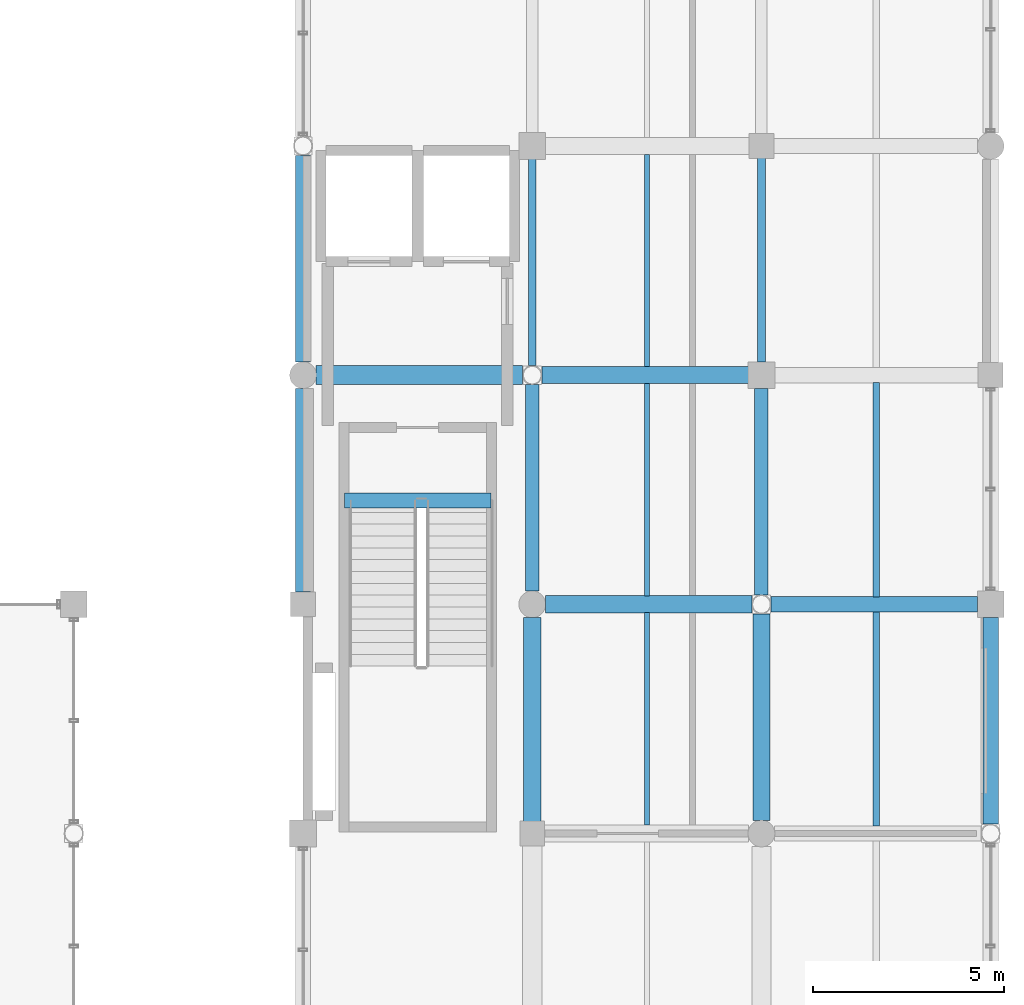
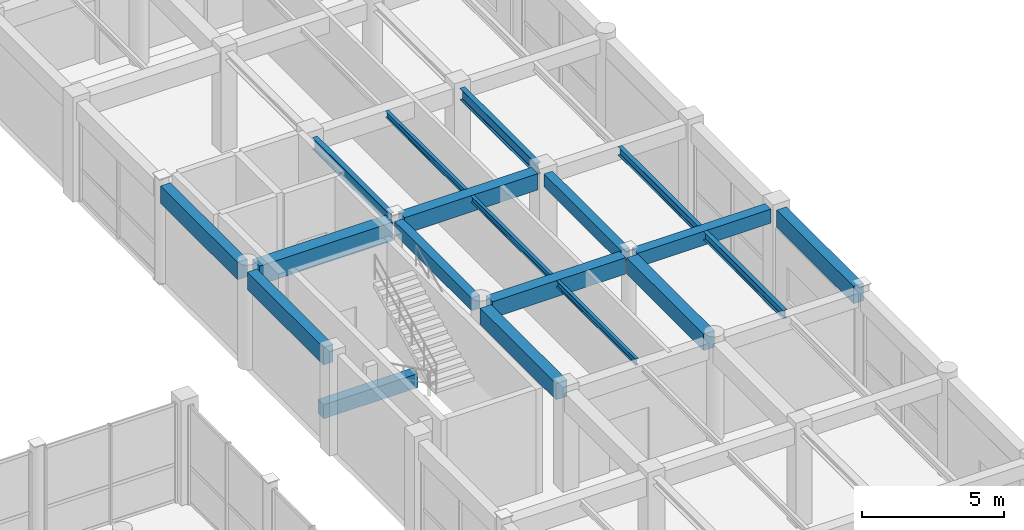
# One storey, part 65 of 116: 19 beams.
"""IFC4 building model written with IfcOpenShell, lengths in metres."""

import ifcopenshell
import ifcopenshell.guid

model = None  # the IFC model being written
_history = None  # IfcOwnerHistory: only IFC2X3 demands one
_inside = {}  # id of a spatial element -> (the spatial element, [elements in it])
_under = {}  # id of a project, library or spatial element -> (it, [spatial elements below it])
_declared = {}  # id of a project -> (the project, [libraries it declares])
_typed = {}  # id of a type object -> (the type object, [elements of that type])
_made_of = {}  # id of a material, layer set ... -> (it, [elements and type objects made of it])


def new_model(schema):
    """Start an empty IFC model of exactly this schema.

    Asked for "IFC4X3", IfcOpenShell would pick the latest addendum, in which some entities
    have other attributes; the version numbers below select the first issue.
    IFC2X3 requires an IfcOwnerHistory on every rooted entity: one is made here for all.
    """
    global model, _history
    if schema == "IFC4X3":
        model = ifcopenshell.file(schema_version=(4, 3, 0, 0))
    else:
        model = ifcopenshell.file(schema=schema)
    _inside.clear()
    _under.clear()
    _declared.clear()
    _typed.clear()
    _made_of.clear()
    _history = None
    if model.schema == "IFC2X3":
        org = make("IfcOrganization", Name="unknown")
        user = make(
            "IfcPersonAndOrganization",
            ThePerson=make("IfcPerson", FamilyName="unknown"),
            TheOrganization=org,
        )
        app = make(
            "IfcApplication",
            ApplicationDeveloper=org,
            Version="unknown",
            ApplicationFullName="unknown",
            ApplicationIdentifier="unknown",
        )
        _history = make(
            "IfcOwnerHistory",
            OwningUser=user,
            OwningApplication=app,
            ChangeAction="ADDED",
            CreationDate=0,
        )
    return model


def make(cls, **values):
    """One entity of the class cls with the attributes given. An attribute that is None is left unset."""
    return model.create_entity(
        cls, **{name: value for name, value in values.items() if value is not None}
    )


def rooted(cls, **values):
    """An entity with a GlobalId (a new one), such as an element, a storey or a relation."""
    return make(cls, GlobalId=ifcopenshell.guid.new(), OwnerHistory=_history, **values)


def si_unit(unit_type, name, prefix=None):
    """IfcSIUnit, for example si_unit("LENGTHUNIT", "METRE", prefix="MILLI")."""
    return make("IfcSIUnit", UnitType=unit_type, Prefix=prefix, Name=name)


def assignment(units):
    """IfcUnitAssignment: the units of a project."""
    return None if units is None else make("IfcUnitAssignment", Units=units)


def point(xyz):
    """IfcCartesianPoint."""
    return None if xyz is None else make("IfcCartesianPoint", Coordinates=xyz)


def direction(xyz):
    """IfcDirection."""
    return None if xyz is None else make("IfcDirection", DirectionRatios=xyz)


def frame(location, z_axis=None, x_axis=None):
    """IfcAxis2Placement3D, a coordinate frame: its origin and axes. An axis left out is left unset."""
    return make(
        "IfcAxis2Placement3D",
        Location=point(location),
        Axis=direction(z_axis),
        RefDirection=direction(x_axis),
    )


def frame_2d(location, x_axis=None):
    """IfcAxis2Placement2D, a coordinate frame in the plane: its origin and x axis."""
    return make(
        "IfcAxis2Placement2D", Location=point(location), RefDirection=direction(x_axis)
    )


def origin():
    """The frame at (0, 0, 0) with its axes left unset."""
    return frame((0.0, 0.0, 0.0))


def origin_2d():
    """The frame at (0, 0) in the plane with its x axis left unset."""
    return frame_2d((0.0, 0.0))


def place(relative_to, where):
    """IfcLocalPlacement: puts the frame where relative to a parent placement (None: the world)."""
    return make(
        "IfcLocalPlacement", PlacementRelTo=relative_to, RelativePlacement=where
    )


def context(
    kind, dimensions, precision=None, world=None, true_north=None, identifier=None
):
    """IfcGeometricRepresentationContext, for example the 3D "Model" context."""
    return make(
        "IfcGeometricRepresentationContext",
        ContextIdentifier=identifier,
        ContextType=kind,
        CoordinateSpaceDimension=dimensions,
        Precision=precision,
        WorldCoordinateSystem=world,
        TrueNorth=true_north,
    )


def subcontext(parent, identifier, kind, view, scale=None):
    """IfcGeometricRepresentationSubContext, for example "Body" below "Model"."""
    return make(
        "IfcGeometricRepresentationSubContext",
        ContextIdentifier=identifier,
        ContextType=kind,
        ParentContext=parent,
        TargetScale=scale,
        TargetView=view,
    )


def project(units=None, contexts=None):
    """IfcProject with its units and contexts."""
    return rooted(
        "IfcProject",
        Name="project",
        RepresentationContexts=contexts,
        UnitsInContext=assignment(units),
    )


def spatial(cls, under=None, at=None, **own):
    """A site, building, storey or space (cls), placed at a placement, below another one or the project."""
    s = rooted(cls, ObjectPlacement=at, **own)
    if under is not None:
        _under.setdefault(under.id(), (under, []))[1].append(s)
    return s


def profile(cls, at=None, kind="AREA", **sizes):
    """A parametric profile (cls). Its sizes go by their IFC names, for example OverallWidth=200.0."""
    return make(cls, ProfileType=kind, Position=at, **sizes)


def rectangle(**sizes):
    """IfcRectangleProfileDef."""
    return profile("IfcRectangleProfileDef", **sizes)


def i_section(**sizes):
    """IfcIShapeProfileDef."""
    return profile("IfcIShapeProfileDef", **sizes)


def extrude(swept, where, along, depth):
    """IfcExtrudedAreaSolid: the profile swept, set in the frame where, extruded along a direction by depth."""
    return make(
        "IfcExtrudedAreaSolid",
        SweptArea=swept,
        Position=where,
        ExtrudedDirection=direction(along),
        Depth=depth,
    )


def shape(context_of_items, identifier, shape_type, items):
    """IfcShapeRepresentation: the items that make up one representation, for example the "Body"."""
    return make(
        "IfcShapeRepresentation",
        ContextOfItems=context_of_items,
        RepresentationIdentifier=identifier,
        RepresentationType=shape_type,
        Items=items,
    )


def material(Name=None, Category=None):
    """IfcMaterial."""
    return make("IfcMaterial", Name=Name, Category=Category)


def material_profile(
    of_material, cross_section, Name=None, Category=None, Priority=None
):
    """IfcMaterialProfile: a cross section and its material."""
    return make(
        "IfcMaterialProfile",
        Name=Name,
        Material=of_material,
        Profile=cross_section,
        Priority=Priority,
        Category=Category,
    )


def profile_set(profiles, Name=None, composite=None):
    """IfcMaterialProfileSet."""
    return make(
        "IfcMaterialProfileSet",
        Name=Name,
        MaterialProfiles=profiles,
        CompositeProfile=composite,
    )


def made_of(thing, what):
    """Note that an element or type object is made of a material, layer set ...; save() writes the relation."""
    if what is not None:
        _made_of.setdefault(what.id(), (what, []))[1].append(thing)
    return thing


def type_object(cls, material=None, **own):
    """A type object (cls), such as IfcWallType, which elements share."""
    return made_of(rooted(cls, **own), material)


def element(
    cls,
    number,
    at=None,
    inside=None,
    cuts=None,
    type_object=None,
    material=None,
    context=None,
    identifier="Body",
    shape_type=None,
    held_by="IfcProductDefinitionShape",
    body=None,
    shapes=None,
    **own,
):
    """One element of the class cls, such as IfcWall. Its Tag is "e" and its number.

    at: its placement. inside: the storey or other place that contains it. cuts: it is an
    opening in that element (IfcRelVoidsElement). A single representation is given by context,
    identifier, shape_type and body (its items); several are given by shapes. held_by: the class
    of the entity that holds the representations. save() writes the other relations.
    """
    e = rooted(cls, Tag="e%d" % number, ObjectPlacement=at, **own)
    if body is not None:
        shapes = [shape(context, identifier, shape_type, body)]
    if shapes is not None:
        e.Representation = make(held_by, Representations=shapes)
    if inside is not None:
        _inside.setdefault(inside.id(), (inside, []))[1].append(e)
    if cuts is not None:
        rooted(
            "IfcRelVoidsElement", RelatingBuildingElement=cuts, RelatedOpeningElement=e
        )
    if type_object is not None:
        _typed.setdefault(type_object.id(), (type_object, []))[1].append(e)
    return made_of(e, material)


def aggregate(whole, parts):
    """IfcRelAggregates: a whole, such as a stair, and the parts it consists of."""
    return rooted("IfcRelAggregates", RelatingObject=whole, RelatedObjects=parts)


def save(model, path):
    """Write the relations noted so far, then the file.

    IfcRelAggregates (storeys below a building ...), IfcRelContainedInSpatialStructure (elements
    in a storey), IfcRelDefinesByType, IfcRelAssociatesMaterial and IfcRelDeclares: one each for
    every whole, place, type object, material and project.
    """
    for whole, parts in _under.values():
        aggregate(whole, parts)
    for where, things in _inside.values():
        rooted(
            "IfcRelContainedInSpatialStructure",
            RelatedElements=things,
            RelatingStructure=where,
        )
    for kind, things in _typed.values():
        rooted("IfcRelDefinesByType", RelatedObjects=things, RelatingType=kind)
    for what, things in _made_of.values():
        rooted("IfcRelAssociatesMaterial", RelatedObjects=things, RelatingMaterial=what)
    for by, libraries in _declared.values():
        rooted("IfcRelDeclares", RelatingContext=by, RelatedDefinitions=libraries)
    model.write(path)


model = new_model("IFC4")

# Units and contexts
model_context = context("Model", 3, precision=1e-05, world=origin(), true_north=direction((0.0, 1.0)))
body_context = subcontext(model_context, "Body", "Model", "MODEL_VIEW")
ifc_project = project(units=[si_unit("LENGTHUNIT", "METRE"), si_unit("AREAUNIT", "SQUARE_METRE"), si_unit("VOLUMEUNIT", "CUBIC_METRE"), si_unit("PLANEANGLEUNIT", "RADIAN"), si_unit("MASSUNIT", "GRAM", prefix="KILO"), si_unit("THERMODYNAMICTEMPERATUREUNIT", "KELVIN"), si_unit("POWERUNIT", "WATT")], contexts=[model_context])

# Site, building, storey
site_placement = place(None, origin())
site = spatial("IfcSite", under=ifc_project, at=site_placement, CompositionType="ELEMENT")
building_placement = place(site_placement, origin())
building = spatial("IfcBuilding", under=site, at=building_placement, Name="Phaisarnlok Congress Hotel", CompositionType="ELEMENT")
storey_placement = place(building_placement, frame((0.0, 0.0, 10.5)))
storey = spatial("IfcBuildingStorey", under=building, at=storey_placement, Name="L02", CompositionType="ELEMENT", Elevation=10.5)

# Beams
ifc_material_1 = material(Name="Concrete C40/50", Category="concrete")
ifc_material_profile_1 = material_profile(ifc_material_1, rectangle(XDim=0.35009765625, YDim=0.550048828125, at=origin_2d()), Name="RC 350x550")
ifc_profile_set_1 = profile_set([ifc_material_profile_1], Name="Concrete C40/50")
beam_type_1 = type_object("IfcBeamType", Name="BM-RC-350x550", PredefinedType="BEAM", material=ifc_profile_set_1)
for number, where, z_axis, x_axis, name in (
    (1, (168.0, 84.344970703125, 3.965087890625), (0.0, 1.0, 0.0), (-1.0, 0.0, 0.0), "Beam B-01"),
    (2, (174.0, 84.2490234375, 3.965087890625), (0.0, 1.0, 0.0), (-1.0, 0.0, 0.0), "Beam B-01"),
):
    element("IfcBeam", number, at=place(storey_placement, frame(where, z_axis=z_axis, x_axis=x_axis)), inside=storey, type_object=beam_type_1, Name=name, PredefinedType="BEAM", context=body_context, shape_type="SweptSolid", body=[
        extrude(rectangle(XDim=0.35009765625, YDim=0.550048828125, at=origin_2d()), origin(), (0.0, 0.0, 1.0), 5.406005859375),
    ])
ifc_material_profile_2 = material_profile(ifc_material_1, rectangle(XDim=0.39990234375, YDim=0.60009765625, at=origin_2d()), Name="RC 400x600")
ifc_profile_set_2 = profile_set([ifc_material_profile_2], Name="Concrete C40/50")
beam_type_2 = type_object("IfcBeamType", Name="BM-RC-400x600", PredefinedType="BEAM", material=ifc_profile_set_2)
beam_1_placement = place(storey_placement, frame((174.2490234375, 84.0, 3.93994140625), z_axis=(1.0, 0.0, 0.0), x_axis=(0.0, 1.0, 0.0)))
element("IfcBeam", 3, at=beam_1_placement, inside=storey, type_object=beam_type_2, Name="Beam B-02", PredefinedType="BEAM", context=body_context, shape_type="SweptSolid", body=[
    extrude(rectangle(XDim=0.39990234375, YDim=0.60009765625, at=origin_2d()), origin(), (0.0, 0.0, 1.0), 5.406005859375),
])
beam_2_placement = place(storey_placement, frame((163.080078125, 86.719970703125, -0.300048828125), z_axis=(1.0, 0.0, 0.0), x_axis=(0.0, 1.0, 0.0)))
element("IfcBeam", 4, at=beam_2_placement, inside=storey, type_object=beam_type_2, Name="Stair landing header beam B-02 (CORE-3 L02)", PredefinedType="BEAM", context=body_context, shape_type="SweptSolid", body=[
    extrude(rectangle(XDim=0.39990234375, YDim=0.60009765625, at=origin_2d()), origin(), (0.0, 0.0, 1.0), 3.83984375),
])
ifc_material_profile_3 = material_profile(ifc_material_1, rectangle(XDim=0.449951171875, YDim=0.699951171875, at=origin_2d()), Name="RC 450x700")
ifc_profile_set_3 = profile_set([ifc_material_profile_3], Name="Concrete C40/50")
beam_type_3 = type_object("IfcBeamType", Name="BM-RC-450x700", PredefinedType="BEAM", material=ifc_profile_set_3)
beam_3_placement = place(storey_placement, frame((168.0, 78.320068359375, 3.889892578125), z_axis=(0.0, 1.0, 0.0), x_axis=(-1.0, 0.0, 0.0)))
element("IfcBeam", 5, at=beam_3_placement, inside=storey, type_object=beam_type_3, Name="Beam B-03", PredefinedType="BEAM", context=body_context, shape_type="SweptSolid", body=[
    extrude(rectangle(XDim=0.449951171875, YDim=0.699951171875, at=origin_2d()), origin(), (0.0, 0.0, 1.0), 5.3349609375),
])
for number, where, z_axis, x_axis, name in (
    (6, (168.344970703125, 84.0, 3.889892578125), (1.0, 0.0, 0.0), (0.0, 1.0, 0.0), "Beam B-03"),
    (7, (168.2490234375, 90.0, 3.889892578125), (1.0, 0.0, 0.0), (0.0, 1.0, 0.0), "Beam B-03"),
    (8, (174.0, 78.344970703125, 3.889892578125), (0.0, 1.0, 0.0), (-1.0, 0.0, 0.0), "Beam B-03"),
):
    element("IfcBeam", number, at=place(storey_placement, frame(where, z_axis=z_axis, x_axis=x_axis)), inside=storey, type_object=beam_type_3, Name=name, PredefinedType="BEAM", context=body_context, shape_type="SweptSolid", body=[
        extrude(rectangle(XDim=0.449951171875, YDim=0.699951171875, at=origin_2d()), origin(), (0.0, 0.0, 1.0), 5.406005859375),
    ])
ifc_material_profile_4 = material_profile(ifc_material_1, rectangle(XDim=0.5, YDim=0.800048828125, at=origin_2d()), Name="RC 500x800")
ifc_profile_set_4 = profile_set([ifc_material_profile_4], Name="Concrete C40/50")
beam_type_4 = type_object("IfcBeamType", Name="BM-RC-500x800", PredefinedType="BEAM", material=ifc_profile_set_4)
beam_4_placement = place(storey_placement, frame((162.344970703125, 90.0, 3.840087890625), z_axis=(1.0, 0.0, 0.0), x_axis=(0.0, 1.0, 0.0)))
element("IfcBeam", 9, at=beam_4_placement, inside=storey, type_object=beam_type_4, Name="Beam B-04", PredefinedType="BEAM", context=body_context, shape_type="SweptSolid", body=[
    extrude(rectangle(XDim=0.5, YDim=0.800048828125, at=origin_2d()), origin(), (0.0, 0.0, 1.0), 5.406005859375),
])
ifc_material_2 = material(Name="Steel S355", Category="steel")
ifc_material_profile_5 = material_profile(ifc_material_2, i_section(OverallWidth=0.199951171875, OverallDepth=0.5, WebThickness=0.01025390625, FlangeThickness=0.01611328125, FilletRadius=0.02099609375, at=origin_2d()), Name="IPE 500")
ifc_profile_set_5 = profile_set([ifc_material_profile_5], Name="Steel S355")
beam_type_5 = type_object("IfcBeamType", Name="BM-STL-IPE500", PredefinedType="BEAM", material=ifc_profile_set_5)
beam_5_placement = place(storey_placement, frame((168.0, 90.2490234375, 3.989990234375), z_axis=(0.0, 1.0, 0.0), x_axis=(-1.0, 0.0, 0.0)))
element("IfcBeam", 10, at=beam_5_placement, inside=storey, type_object=beam_type_5, Name="Beam SB-02", PredefinedType="BEAM", context=body_context, shape_type="SweptSolid", body=[
    extrude(i_section(OverallWidth=0.199951171875, OverallDepth=0.5, WebThickness=0.01025390625, FlangeThickness=0.01611328125, FilletRadius=0.02099609375, at=origin_2d()), origin(), (0.0, 0.0, 1.0), 5.406005859375),
])
beam_6_placement = place(storey_placement, frame((174.0, 90.344970703125, 3.989990234375), z_axis=(0.0, 1.0, 0.0), x_axis=(-1.0, 0.0, 0.0)))
element("IfcBeam", 11, at=beam_6_placement, inside=storey, type_object=beam_type_5, Name="Beam SB-02", PredefinedType="BEAM", context=body_context, shape_type="SweptSolid", body=[
    extrude(i_section(OverallWidth=0.199951171875, OverallDepth=0.5, WebThickness=0.01025390625, FlangeThickness=0.01611328125, FilletRadius=0.02099609375, at=origin_2d()), origin(), (0.0, 0.0, 1.0), 5.3349609375),
])
ifc_material_profile_6 = material_profile(ifc_material_2, i_section(OverallWidth=0.135009765625, OverallDepth=0.27001953125, WebThickness=0.006591796875, FlangeThickness=0.01025390625, FilletRadius=0.014892578125, at=origin_2d()), Name="IPE 270")
ifc_profile_set_6 = profile_set([ifc_material_profile_6], Name="Steel S355")
beam_type_6 = type_object("IfcBeamType", Name="JS-STL-IPE270", PredefinedType="JOIST", material=ifc_profile_set_6)
for number, where, z_axis, x_axis, name in (
    (12, (171.0, 78.219970703125, 4.10498046875), (0.0, 1.0, 0.0), (-1.0, 0.0, 0.0), "Secondary floor joist J-02"),
    (13, (171.0, 84.219970703125, 4.10498046875), (0.0, 1.0, 0.0), (-1.0, 0.0, 0.0), "Secondary floor joist J-02"),
    (14, (171.0, 90.219970703125, 4.10498046875), (0.0, 1.0, 0.0), (-1.0, 0.0, 0.0), "Secondary floor joist J-02"),
):
    element("IfcBeam", number, at=place(storey_placement, frame(where, z_axis=z_axis, x_axis=x_axis)), inside=storey, type_object=beam_type_6, Name=name, PredefinedType="JOIST", context=body_context, shape_type="SweptSolid", body=[
        extrude(i_section(OverallWidth=0.135009765625, OverallDepth=0.27001953125, WebThickness=0.006591796875, FlangeThickness=0.01025390625, FilletRadius=0.014892578125, at=origin_2d()), origin(), (0.0, 0.0, 1.0), 5.56005859375),
    ])
ifc_material_profile_7 = material_profile(ifc_material_2, i_section(OverallWidth=0.169921875, OverallDepth=0.360107421875, WebThickness=0.008056640625, FlangeThickness=0.0126953125, FilletRadius=0.01806640625, at=origin_2d()), Name="IPE 360")
ifc_profile_set_7 = profile_set([ifc_material_profile_7], Name="Steel S355")
beam_type_7 = type_object("IfcBeamType", Name="JS-STL-IPE360", PredefinedType="JOIST", material=ifc_profile_set_7)
for number, where, z_axis, x_axis, name in (
    (15, (177.0, 78.195068359375, 4.06005859375), (0.0, 1.0, 0.0), (-1.0, 0.0, 0.0), "Secondary floor joist J-04"),
    (16, (177.0, 84.195068359375, 4.06005859375), (0.0, 1.0, 0.0), (-1.0, 0.0, 0.0), "Secondary floor joist J-04"),
):
    element("IfcBeam", number, at=place(storey_placement, frame(where, z_axis=z_axis, x_axis=x_axis)), inside=storey, type_object=beam_type_7, Name=name, PredefinedType="JOIST", context=body_context, shape_type="SweptSolid", body=[
        extrude(i_section(OverallWidth=0.169921875, OverallDepth=0.360107421875, WebThickness=0.008056640625, FlangeThickness=0.0126953125, FilletRadius=0.01806640625, at=origin_2d()), origin(), (0.0, 0.0, 1.0), 5.60986328125),
    ])
ifc_material_profile_8 = material_profile(ifc_material_1, rectangle(XDim=0.39990234375, YDim=0.75, at=origin_2d()), Name="RC 400x750")
ifc_profile_set_8 = profile_set([ifc_material_profile_8], Name="Concrete C40/50")
beam_type_8 = type_object("IfcBeamType", Name="SP-RC-400x750", PredefinedType="SPANDREL", material=ifc_profile_set_8)
beam_7_placement = place(storey_placement, frame((162.0, 84.320068359375, 3.864990234375), z_axis=(0.0, 1.0, 0.0), x_axis=(-1.0, 0.0, 0.0)))
element("IfcBeam", 17, at=beam_7_placement, inside=storey, type_object=beam_type_8, Name="Beam SP-02", PredefinedType="SPANDREL", context=body_context, shape_type="SweptSolid", body=[
    extrude(rectangle(XDim=0.39990234375, YDim=0.75, at=origin_2d()), origin(), (0.0, 0.0, 1.0), 5.3349609375),
])
for number, where, z_axis, x_axis, name in (
    (18, (162.0, 90.344970703125, 3.864990234375), (0.0, 1.0, 0.0), (-1.0, 0.0, 0.0), "Beam SP-02"),
    (19, (180.0, 78.2490234375, 3.864990234375), (0.0, 1.0, 0.0), (-1.0, 0.0, 0.0), "Beam SP-02"),
):
    element("IfcBeam", number, at=place(storey_placement, frame(where, z_axis=z_axis, x_axis=x_axis)), inside=storey, type_object=beam_type_8, Name=name, PredefinedType="SPANDREL", context=body_context, shape_type="SweptSolid", body=[
        extrude(rectangle(XDim=0.39990234375, YDim=0.75, at=origin_2d()), origin(), (0.0, 0.0, 1.0), 5.406005859375),
    ])

save(model, "model.ifc")
